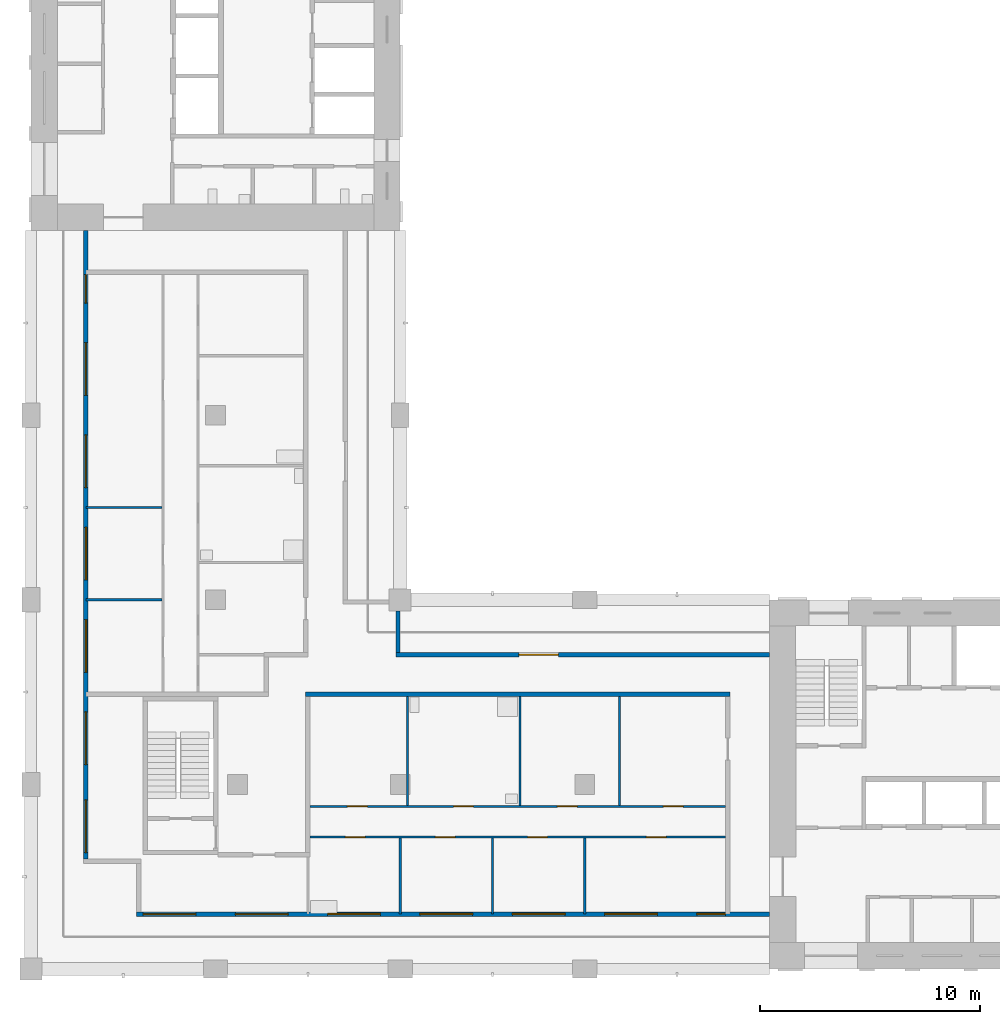
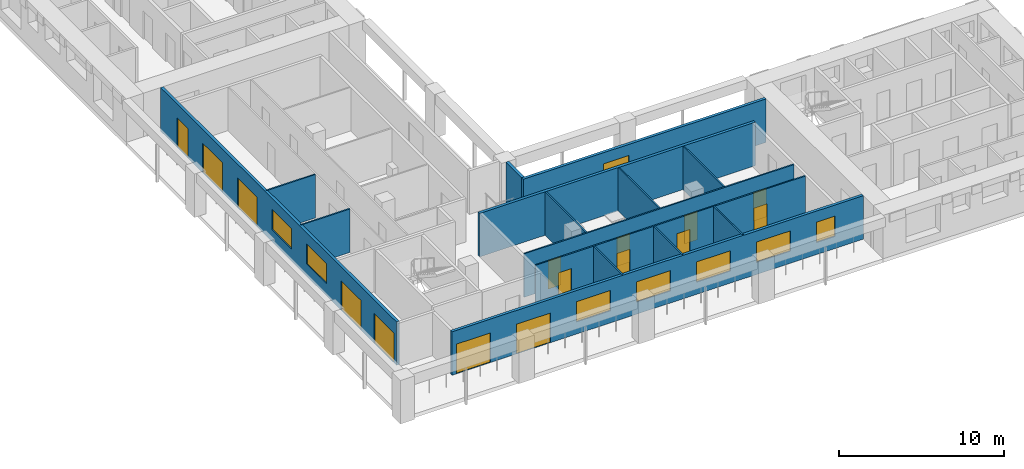
# One storey, part 2 of 9: 16 doors, 15 walls, 7 windows, 23 openings.
"""IFC4 building model written with IfcOpenShell, lengths in metres."""

from ifc_helpers import new_model, si_unit, direction, frame, frame_2d, origin, place, context, subcontext, project, spatial, rectangle, extrude, material, layer, layer_set, type_object, element, fill, save


model = new_model("IFC4")

# Units and contexts
model_context = context("Model", 3, precision=1e-05, world=origin(), true_north=direction((0.0, 1.0)))
body_context = subcontext(model_context, "Body", "Model", "MODEL_VIEW")
ifc_project = project(units=[si_unit("LENGTHUNIT", "METRE"), si_unit("AREAUNIT", "SQUARE_METRE"), si_unit("VOLUMEUNIT", "CUBIC_METRE"), si_unit("PLANEANGLEUNIT", "RADIAN"), si_unit("MASSUNIT", "GRAM", prefix="KILO")], contexts=[model_context])

# Site, building, storey
site_placement = place(None, origin())
site = spatial("IfcSite", under=ifc_project, at=site_placement, CompositionType="ELEMENT")
building_placement = place(site_placement, origin())
building = spatial("IfcBuilding", under=site, at=building_placement, Name="Vermilion Gate Residences", CompositionType="ELEMENT")
storey_placement = place(building_placement, frame((0.0, 0.0, 231.699951171875)))
storey = spatial("IfcBuildingStorey", under=building, at=storey_placement, Name="L60", CompositionType="ELEMENT", Elevation=231.699951171875)

# Wall, openings, doors, windows
ifc_material_1 = material(Name="Insulated steel stud wall with terracotta rainscreen", Category="masonry")
ifc_layer_1 = layer(ifc_material_1, 0.199951171875)
ifc_layer_set_1 = layer_set([ifc_layer_1], Name="EXTERNAL WALL 200 TERRACOTTA RAINSCREEN")
wall_type_1 = type_object("IfcWallType", Name="EXTERNAL WALL 200 TERRACOTTA RAINSCREEN", PredefinedType="SOLIDWALL", material=ifc_layer_set_1)
wall_1_placement = place(storey_placement, frame((10.89990234375, 42.0, 0.0), z_axis=(0.0, 0.0, 1.0), x_axis=(0.0, -1.0, 0.0)))
wall_1 = element("IfcWall", 1, at=wall_1_placement, inside=storey, type_object=wall_type_1, Name="External wall", PredefinedType="SOLIDWALL", context=body_context, shape_type="SweptSolid", body=[
    extrude(rectangle(XDim=28.60009765625, YDim=0.199951171875, at=frame_2d((14.300048828125, 0.0))), origin(), (0.0, 0.0, 1.0), 3.219970703125),
])
opening_1_placement = place(wall_1_placement, frame((25.89990234375, 0.0, 0.0)))
opening_1 = element("IfcOpeningElement", 2, at=opening_1_placement, cuts=wall_1, Name="Opening DE60001", PredefinedType="OPENING", context=body_context, shape_type="SweptSolid", body=[
    extrude(rectangle(XDim=2.39990234375, YDim=2.199951171875, at=frame_2d((1.199951171875, 1.10009765625))), frame((0.0, 0.10986328125, 0.0), z_axis=(0.0, -1.0, 0.0), x_axis=(1.0, 0.0, 0.0)), (0.0, 0.0, 1.0), 0.219970703125),
])
opening_2_placement = place(wall_1_placement, frame((21.89990234375, 0.0, 0.0)))
opening_2 = element("IfcOpeningElement", 3, at=opening_2_placement, cuts=wall_1, Name="Opening DE60002", PredefinedType="OPENING", context=body_context, shape_type="SweptSolid", body=[
    extrude(rectangle(XDim=2.39990234375, YDim=2.199951171875, at=frame_2d((1.199951171875, 1.10009765625))), frame((0.0, 0.10986328125, 0.0), z_axis=(0.0, -1.0, 0.0), x_axis=(1.0, 0.0, 0.0)), (0.0, 0.0, 1.0), 0.219970703125),
])
opening_3_placement = place(wall_1_placement, frame((17.699951171875, 0.0, 0.89990234375)))
opening_3 = element("IfcOpeningElement", 4, at=opening_3_placement, cuts=wall_1, Name="Opening WE60003", PredefinedType="OPENING", context=body_context, shape_type="SweptSolid", body=[
    extrude(rectangle(XDim=2.39990234375, YDim=1.5, at=frame_2d((1.199951171875, 0.75))), frame((0.0, 0.10986328125, 0.0), z_axis=(0.0, -1.0, 0.0), x_axis=(1.0, 0.0, 0.0)), (0.0, 0.0, 1.0), 0.219970703125),
])
opening_4_placement = place(wall_1_placement, frame((13.5, 0.0, 0.89990234375)))
opening_4 = element("IfcOpeningElement", 5, at=opening_4_placement, cuts=wall_1, Name="Opening WE60004", PredefinedType="OPENING", context=body_context, shape_type="SweptSolid", body=[
    extrude(rectangle(XDim=2.39990234375, YDim=1.5, at=frame_2d((1.199951171875, 0.75))), frame((0.0, 0.10986328125, 0.0), z_axis=(0.0, -1.0, 0.0), x_axis=(1.0, 0.0, 0.0)), (0.0, 0.0, 1.0), 0.219970703125),
])
opening_5_placement = place(wall_1_placement, frame((9.300048828125, 0.0, 0.0)))
opening_5 = element("IfcOpeningElement", 6, at=opening_5_placement, cuts=wall_1, Name="Opening DE60005", PredefinedType="OPENING", context=body_context, shape_type="SweptSolid", body=[
    extrude(rectangle(XDim=2.39990234375, YDim=2.199951171875, at=frame_2d((1.199951171875, 1.10009765625))), frame((0.0, 0.10986328125, 0.0), z_axis=(0.0, -1.0, 0.0), x_axis=(1.0, 0.0, 0.0)), (0.0, 0.0, 1.0), 0.219970703125),
])
opening_6_placement = place(wall_1_placement, frame((5.10009765625, 0.0, 0.0)))
opening_6 = element("IfcOpeningElement", 7, at=opening_6_placement, cuts=wall_1, Name="Opening DE60006", PredefinedType="OPENING", context=body_context, shape_type="SweptSolid", body=[
    extrude(rectangle(XDim=2.39990234375, YDim=2.199951171875, at=frame_2d((1.199951171875, 1.10009765625))), frame((0.0, 0.10986328125, 0.0), z_axis=(0.0, -1.0, 0.0), x_axis=(1.0, 0.0, 0.0)), (0.0, 0.0, 1.0), 0.219970703125),
])
opening_7_placement = place(wall_1_placement, frame((2.0, 0.0, 0.0)))
opening_7 = element("IfcOpeningElement", 8, at=opening_7_placement, cuts=wall_1, Name="Opening DE60007", PredefinedType="OPENING", context=body_context, shape_type="SweptSolid", body=[
    extrude(rectangle(XDim=1.300048828125, YDim=2.199951171875, at=frame_2d((0.64990234375, 1.10009765625))), frame((0.0, 0.10986328125, 0.0), z_axis=(0.0, -1.0, 0.0), x_axis=(1.0, 0.0, 0.0)), (0.0, 0.0, 1.0), 0.219970703125),
])
ifc_material_2 = material(Name="Aluminium and clear glass", Category="aluminium")
door_type_1 = type_object("IfcDoorType", Name="SLIDING GLAZED DOOR 1300 X 2200", OperationType="DOUBLE_DOOR_SLIDING", PredefinedType="DOOR", material=ifc_material_2)
door_1_placement = place(opening_7_placement, origin())
door_1 = element("IfcDoor", 9, at=door_1_placement, inside=storey, type_object=door_type_1, Name="Loggia sliding door", OperationType="DOUBLE_DOOR_SLIDING", OverallHeight=2.199951171875, OverallWidth=1.300048828125, PredefinedType="DOOR", context=body_context, shape_type="SweptSolid", body=[
    extrude(rectangle(XDim=1.300048828125, YDim=2.199951171875, at=frame_2d((0.64990234375, 1.10009765625))), frame((0.0, 0.02490234375, 0.0), z_axis=(0.0, -1.0, 0.0), x_axis=(1.0, 0.0, 0.0)), (0.0, 0.0, 1.0), 0.050048828125),
])
fill(opening_7, door_1)
ifc_material_3 = material(Name="Aluminium and clear glass", Category="aluminium")
door_type_2 = type_object("IfcDoorType", Name="SLIDING GLAZED DOOR 2400 X 2200", OperationType="DOUBLE_DOOR_SLIDING", PredefinedType="DOOR", material=ifc_material_3)
door_2_placement = place(opening_1_placement, origin())
door_2 = element("IfcDoor", 10, at=door_2_placement, inside=storey, type_object=door_type_2, Name="Loggia sliding door", OperationType="DOUBLE_DOOR_SLIDING", OverallHeight=2.199951171875, OverallWidth=2.39990234375, PredefinedType="DOOR", context=body_context, shape_type="SweptSolid", body=[
    extrude(rectangle(XDim=2.39990234375, YDim=2.199951171875, at=frame_2d((1.199951171875, 1.10009765625))), frame((0.0, 0.02490234375, 0.0), z_axis=(0.0, -1.0, 0.0), x_axis=(1.0, 0.0, 0.0)), (0.0, 0.0, 1.0), 0.050048828125),
])
fill(opening_1, door_2)
door_3_placement = place(opening_2_placement, origin())
door_3 = element("IfcDoor", 11, at=door_3_placement, inside=storey, type_object=door_type_2, Name="Loggia sliding door", OperationType="DOUBLE_DOOR_SLIDING", OverallHeight=2.199951171875, OverallWidth=2.39990234375, PredefinedType="DOOR", context=body_context, shape_type="SweptSolid", body=[
    extrude(rectangle(XDim=2.39990234375, YDim=2.199951171875, at=frame_2d((1.199951171875, 1.10009765625))), frame((0.0, 0.02490234375, 0.0), z_axis=(0.0, -1.0, 0.0), x_axis=(1.0, 0.0, 0.0)), (0.0, 0.0, 1.0), 0.050048828125),
])
fill(opening_2, door_3)
door_4_placement = place(opening_5_placement, origin())
door_4 = element("IfcDoor", 12, at=door_4_placement, inside=storey, type_object=door_type_2, Name="Loggia sliding door", OperationType="DOUBLE_DOOR_SLIDING", OverallHeight=2.199951171875, OverallWidth=2.39990234375, PredefinedType="DOOR", context=body_context, shape_type="SweptSolid", body=[
    extrude(rectangle(XDim=2.39990234375, YDim=2.199951171875, at=frame_2d((1.199951171875, 1.10009765625))), frame((0.0, 0.02490234375, 0.0), z_axis=(0.0, -1.0, 0.0), x_axis=(1.0, 0.0, 0.0)), (0.0, 0.0, 1.0), 0.050048828125),
])
fill(opening_5, door_4)
door_5_placement = place(opening_6_placement, origin())
door_5 = element("IfcDoor", 13, at=door_5_placement, inside=storey, type_object=door_type_2, Name="Loggia sliding door", OperationType="DOUBLE_DOOR_SLIDING", OverallHeight=2.199951171875, OverallWidth=2.39990234375, PredefinedType="DOOR", context=body_context, shape_type="SweptSolid", body=[
    extrude(rectangle(XDim=2.39990234375, YDim=2.199951171875, at=frame_2d((1.199951171875, 1.10009765625))), frame((0.0, 0.02490234375, 0.0), z_axis=(0.0, -1.0, 0.0), x_axis=(1.0, 0.0, 0.0)), (0.0, 0.0, 1.0), 0.050048828125),
])
fill(opening_6, door_5)
ifc_material_4 = material(Name="Aluminium and clear glass", Category="aluminium")
window_type_1 = type_object("IfcWindowType", Name="WINDOW 2400 X 1500", PartitioningType="SINGLE_PANEL", PredefinedType="WINDOW", material=ifc_material_4)
window_1_placement = place(opening_3_placement, origin())
window_1 = element("IfcWindow", 14, at=window_1_placement, inside=storey, type_object=window_type_1, Name="Window", OverallHeight=1.5, OverallWidth=2.39990234375, PartitioningType="SINGLE_PANEL", PredefinedType="WINDOW", context=body_context, shape_type="SweptSolid", body=[
    extrude(rectangle(XDim=2.39990234375, YDim=1.5, at=frame_2d((1.199951171875, 0.75))), frame((0.0, 0.030029296875, 0.0), z_axis=(0.0, -1.0, 0.0), x_axis=(1.0, 0.0, 0.0)), (0.0, 0.0, 1.0), 0.06005859375),
])
fill(opening_3, window_1)
window_2_placement = place(opening_4_placement, origin())
window_2 = element("IfcWindow", 15, at=window_2_placement, inside=storey, type_object=window_type_1, Name="Window", OverallHeight=1.5, OverallWidth=2.39990234375, PartitioningType="SINGLE_PANEL", PredefinedType="WINDOW", context=body_context, shape_type="SweptSolid", body=[
    extrude(rectangle(XDim=2.39990234375, YDim=1.5, at=frame_2d((1.199951171875, 0.75))), frame((0.0, 0.030029296875, 0.0), z_axis=(0.0, -1.0, 0.0), x_axis=(1.0, 0.0, 0.0)), (0.0, 0.0, 1.0), 0.06005859375),
])
fill(opening_4, window_2)

wall_2_placement = place(storey_placement, frame((13.199951171875, 10.89990234375, 0.0), z_axis=(0.0, 0.0, 1.0), x_axis=(1.0, 0.0, 0.0)))
wall_2 = element("IfcWall", 16, at=wall_2_placement, inside=storey, type_object=wall_type_1, Name="External wall", PredefinedType="SOLIDWALL", context=body_context, shape_type="SweptSolid", body=[
    extrude(rectangle(XDim=28.800048828125, YDim=0.199951171875, at=frame_2d((14.39990234375, 0.0))), origin(), (0.0, 0.0, 1.0), 3.219970703125),
])
opening_8_placement = place(wall_2_placement, frame((0.300048828125, 0.0, 0.0)))
opening_8 = element("IfcOpeningElement", 17, at=opening_8_placement, cuts=wall_2, Name="Opening DE60008", PredefinedType="OPENING", context=body_context, shape_type="SweptSolid", body=[
    extrude(rectangle(XDim=2.39990234375, YDim=2.199951171875, at=frame_2d((1.199951171875, 1.10009765625))), frame((0.0, 0.10986328125, 0.0), z_axis=(0.0, -1.0, 0.0), x_axis=(1.0, 0.0, 0.0)), (0.0, 0.0, 1.0), 0.219970703125),
])
opening_9_placement = place(wall_2_placement, frame((4.5, 0.0, 0.0)))
opening_9 = element("IfcOpeningElement", 18, at=opening_9_placement, cuts=wall_2, Name="Opening DE60009", PredefinedType="OPENING", context=body_context, shape_type="SweptSolid", body=[
    extrude(rectangle(XDim=2.39990234375, YDim=2.199951171875, at=frame_2d((1.199951171875, 1.10009765625))), frame((0.0, 0.10986328125, 0.0), z_axis=(0.0, -1.0, 0.0), x_axis=(1.0, 0.0, 0.0)), (0.0, 0.0, 1.0), 0.219970703125),
])
opening_10_placement = place(wall_2_placement, frame((8.699951171875, 0.0, 0.89990234375)))
opening_10 = element("IfcOpeningElement", 19, at=opening_10_placement, cuts=wall_2, Name="Opening WE60010", PredefinedType="OPENING", context=body_context, shape_type="SweptSolid", body=[
    extrude(rectangle(XDim=2.39990234375, YDim=1.5, at=frame_2d((1.199951171875, 0.75))), frame((0.0, 0.10986328125, 0.0), z_axis=(0.0, -1.0, 0.0), x_axis=(1.0, 0.0, 0.0)), (0.0, 0.0, 1.0), 0.219970703125),
])
opening_11_placement = place(wall_2_placement, frame((12.89990234375, 0.0, 0.89990234375)))
opening_11 = element("IfcOpeningElement", 20, at=opening_11_placement, cuts=wall_2, Name="Opening WE60011", PredefinedType="OPENING", context=body_context, shape_type="SweptSolid", body=[
    extrude(rectangle(XDim=2.39990234375, YDim=1.5, at=frame_2d((1.199951171875, 0.75))), frame((0.0, 0.10986328125, 0.0), z_axis=(0.0, -1.0, 0.0), x_axis=(1.0, 0.0, 0.0)), (0.0, 0.0, 1.0), 0.219970703125),
])
opening_12_placement = place(wall_2_placement, frame((17.10009765625, 0.0, 0.89990234375)))
opening_12 = element("IfcOpeningElement", 21, at=opening_12_placement, cuts=wall_2, Name="Opening WE60012", PredefinedType="OPENING", context=body_context, shape_type="SweptSolid", body=[
    extrude(rectangle(XDim=2.39990234375, YDim=1.5, at=frame_2d((1.199951171875, 0.75))), frame((0.0, 0.10986328125, 0.0), z_axis=(0.0, -1.0, 0.0), x_axis=(1.0, 0.0, 0.0)), (0.0, 0.0, 1.0), 0.219970703125),
])
opening_13_placement = place(wall_2_placement, frame((21.300048828125, 0.0, 0.89990234375)))
opening_13 = element("IfcOpeningElement", 22, at=opening_13_placement, cuts=wall_2, Name="Opening WE60013", PredefinedType="OPENING", context=body_context, shape_type="SweptSolid", body=[
    extrude(rectangle(XDim=2.39990234375, YDim=1.5, at=frame_2d((1.199951171875, 0.75))), frame((0.0, 0.10986328125, 0.0), z_axis=(0.0, -1.0, 0.0), x_axis=(1.0, 0.0, 0.0)), (0.0, 0.0, 1.0), 0.219970703125),
])
opening_14_placement = place(wall_2_placement, frame((25.5, 0.0, 0.89990234375)))
opening_14 = element("IfcOpeningElement", 23, at=opening_14_placement, cuts=wall_2, Name="Opening WE60014", PredefinedType="OPENING", context=body_context, shape_type="SweptSolid", body=[
    extrude(rectangle(XDim=1.300048828125, YDim=1.5, at=frame_2d((0.64990234375, 0.75))), frame((0.0, 0.10986328125, 0.0), z_axis=(0.0, -1.0, 0.0), x_axis=(1.0, 0.0, 0.0)), (0.0, 0.0, 1.0), 0.219970703125),
])
door_6_placement = place(opening_8_placement, origin())
door_6 = element("IfcDoor", 24, at=door_6_placement, inside=storey, type_object=door_type_2, Name="Loggia sliding door", OperationType="DOUBLE_DOOR_SLIDING", OverallHeight=2.199951171875, OverallWidth=2.39990234375, PredefinedType="DOOR", context=body_context, shape_type="SweptSolid", body=[
    extrude(rectangle(XDim=2.39990234375, YDim=2.199951171875, at=frame_2d((1.199951171875, 1.10009765625))), frame((0.0, 0.02490234375, 0.0), z_axis=(0.0, -1.0, 0.0), x_axis=(1.0, 0.0, 0.0)), (0.0, 0.0, 1.0), 0.050048828125),
])
fill(opening_8, door_6)
door_7_placement = place(opening_9_placement, origin())
door_7 = element("IfcDoor", 25, at=door_7_placement, inside=storey, type_object=door_type_2, Name="Loggia sliding door", OperationType="DOUBLE_DOOR_SLIDING", OverallHeight=2.199951171875, OverallWidth=2.39990234375, PredefinedType="DOOR", context=body_context, shape_type="SweptSolid", body=[
    extrude(rectangle(XDim=2.39990234375, YDim=2.199951171875, at=frame_2d((1.199951171875, 1.10009765625))), frame((0.0, 0.02490234375, 0.0), z_axis=(0.0, -1.0, 0.0), x_axis=(1.0, 0.0, 0.0)), (0.0, 0.0, 1.0), 0.050048828125),
])
fill(opening_9, door_7)
ifc_material_5 = material(Name="Aluminium and clear glass", Category="aluminium")
window_type_2 = type_object("IfcWindowType", Name="WINDOW 1300 X 1500", PartitioningType="SINGLE_PANEL", PredefinedType="WINDOW", material=ifc_material_5)
window_3_placement = place(opening_14_placement, origin())
window_3 = element("IfcWindow", 26, at=window_3_placement, inside=storey, type_object=window_type_2, Name="Window", OverallHeight=1.5, OverallWidth=1.300048828125, PartitioningType="SINGLE_PANEL", PredefinedType="WINDOW", context=body_context, shape_type="SweptSolid", body=[
    extrude(rectangle(XDim=1.300048828125, YDim=1.5, at=frame_2d((0.64990234375, 0.75))), frame((0.0, 0.030029296875, 0.0), z_axis=(0.0, -1.0, 0.0), x_axis=(1.0, 0.0, 0.0)), (0.0, 0.0, 1.0), 0.06005859375),
])
fill(opening_14, window_3)
window_4_placement = place(opening_10_placement, origin())
window_4 = element("IfcWindow", 27, at=window_4_placement, inside=storey, type_object=window_type_1, Name="Window", OverallHeight=1.5, OverallWidth=2.39990234375, PartitioningType="SINGLE_PANEL", PredefinedType="WINDOW", context=body_context, shape_type="SweptSolid", body=[
    extrude(rectangle(XDim=2.39990234375, YDim=1.5, at=frame_2d((1.199951171875, 0.75))), frame((0.0, 0.030029296875, 0.0), z_axis=(0.0, -1.0, 0.0), x_axis=(1.0, 0.0, 0.0)), (0.0, 0.0, 1.0), 0.06005859375),
])
fill(opening_10, window_4)
window_5_placement = place(opening_11_placement, origin())
window_5 = element("IfcWindow", 28, at=window_5_placement, inside=storey, type_object=window_type_1, Name="Window", OverallHeight=1.5, OverallWidth=2.39990234375, PartitioningType="SINGLE_PANEL", PredefinedType="WINDOW", context=body_context, shape_type="SweptSolid", body=[
    extrude(rectangle(XDim=2.39990234375, YDim=1.5, at=frame_2d((1.199951171875, 0.75))), frame((0.0, 0.030029296875, 0.0), z_axis=(0.0, -1.0, 0.0), x_axis=(1.0, 0.0, 0.0)), (0.0, 0.0, 1.0), 0.06005859375),
])
fill(opening_11, window_5)
window_6_placement = place(opening_12_placement, origin())
window_6 = element("IfcWindow", 29, at=window_6_placement, inside=storey, type_object=window_type_1, Name="Window", OverallHeight=1.5, OverallWidth=2.39990234375, PartitioningType="SINGLE_PANEL", PredefinedType="WINDOW", context=body_context, shape_type="SweptSolid", body=[
    extrude(rectangle(XDim=2.39990234375, YDim=1.5, at=frame_2d((1.199951171875, 0.75))), frame((0.0, 0.030029296875, 0.0), z_axis=(0.0, -1.0, 0.0), x_axis=(1.0, 0.0, 0.0)), (0.0, 0.0, 1.0), 0.06005859375),
])
fill(opening_12, window_6)
window_7_placement = place(opening_13_placement, origin())
window_7 = element("IfcWindow", 30, at=window_7_placement, inside=storey, type_object=window_type_1, Name="Window", OverallHeight=1.5, OverallWidth=2.39990234375, PartitioningType="SINGLE_PANEL", PredefinedType="WINDOW", context=body_context, shape_type="SweptSolid", body=[
    extrude(rectangle(XDim=2.39990234375, YDim=1.5, at=frame_2d((1.199951171875, 0.75))), frame((0.0, 0.030029296875, 0.0), z_axis=(0.0, -1.0, 0.0), x_axis=(1.0, 0.0, 0.0)), (0.0, 0.0, 1.0), 0.06005859375),
])
fill(opening_13, window_7)

# Wall, opening, door
wall_3_placement = place(storey_placement, frame((42.0, 22.699951171875, 0.0), z_axis=(0.0, 0.0, 1.0), x_axis=(-1.0, 0.0, 0.0)))
wall_3 = element("IfcWall", 31, at=wall_3_placement, inside=storey, type_object=wall_type_1, Name="External wall", PredefinedType="SOLIDWALL", context=body_context, shape_type="SweptSolid", body=[
    extrude(rectangle(XDim=17.0, YDim=0.199951171875, at=frame_2d((8.5, 0.0))), origin(), (0.0, 0.0, 1.0), 3.219970703125),
])
opening_15_placement = place(wall_3_placement, frame((9.60009765625, 0.0, 0.0)))
opening_15 = element("IfcOpeningElement", 32, at=opening_15_placement, cuts=wall_3, Name="Opening DE60015", PredefinedType="OPENING", context=body_context, shape_type="SweptSolid", body=[
    extrude(rectangle(XDim=1.800048828125, YDim=2.39990234375, at=frame_2d((0.89990234375, 1.199951171875))), frame((0.0, 0.10986328125, 0.0), z_axis=(0.0, -1.0, 0.0), x_axis=(1.0, 0.0, 0.0)), (0.0, 0.0, 1.0), 0.219970703125),
])
ifc_material_6 = material(Name="Aluminium and clear glass", Category="aluminium")
door_type_3 = type_object("IfcDoorType", Name="GLAZED EXTERNAL DOOR 1800 X 2400", OperationType="DOUBLE_DOOR_SINGLE_SWING", PredefinedType="DOOR", material=ifc_material_6)
door_8_placement = place(opening_15_placement, frame((1.800048828125, 0.0, 0.0), z_axis=(0.0, 0.0, 1.0), x_axis=(-1.0, 0.0, 0.0)))
door_8 = element("IfcDoor", 33, at=door_8_placement, inside=storey, type_object=door_type_3, Name="Gallery door", OperationType="DOUBLE_DOOR_SINGLE_SWING", OverallHeight=2.39990234375, OverallWidth=1.800048828125, PredefinedType="DOOR", context=body_context, shape_type="SweptSolid", body=[
    extrude(rectangle(XDim=1.800048828125, YDim=2.39990234375, at=frame_2d((0.89990234375, 1.199951171875))), frame((0.0, 0.02490234375, 0.0), z_axis=(0.0, -1.0, 0.0), x_axis=(1.0, 0.0, 0.0)), (0.0, 0.0, 1.0), 0.050048828125),
])
fill(opening_15, door_8)

# Wall
wall_4_placement = place(storey_placement, frame((25.10009765625, 22.800048828125, 0.0), z_axis=(0.0, 0.0, 1.0), x_axis=(0.0, 1.0, 0.0)))
element("IfcWall", 34, at=wall_4_placement, inside=storey, type_object=wall_type_1, Name="External wall", PredefinedType="SOLIDWALL", context=body_context, shape_type="SweptSolid", body=[
    extrude(rectangle(XDim=1.89990234375, YDim=0.199951171875, at=frame_2d((0.949951171875, 0.0))), origin(), (0.0, 0.0, 1.0), 3.219970703125),
])

# Wall, openings, doors
ifc_material_7 = material(Name="Plasterboard on steel studs", Category="steel")
ifc_layer_2 = layer(ifc_material_7, 0.10009765625)
ifc_layer_set_2 = layer_set([ifc_layer_2], Name="PARTITION 100")
wall_type_2 = type_object("IfcWallType", Name="PARTITION 100", PredefinedType="PARTITIONING", material=ifc_layer_set_2)
wall_5_placement = place(storey_placement, frame((21.10009765625, 14.39990234375, 0.0), z_axis=(0.0, 0.0, 1.0), x_axis=(1.0, 0.0, 0.0)))
wall_5 = element("IfcWall", 35, at=wall_5_placement, inside=storey, type_object=wall_type_2, Name="Partition", PredefinedType="PARTITIONING", context=body_context, shape_type="SweptSolid", body=[
    extrude(rectangle(XDim=18.89990234375, YDim=0.10009765625, at=frame_2d((9.449951171875, 0.0))), origin(), (0.0, 0.0, 1.0), 3.219970703125),
])
opening_16_placement = place(wall_5_placement, frame((1.60009765625, 0.0, 0.0)))
opening_16 = element("IfcOpeningElement", 36, at=opening_16_placement, cuts=wall_5, Name="Opening DA58002", PredefinedType="OPENING", context=body_context, shape_type="SweptSolid", body=[
    extrude(rectangle(XDim=0.89990234375, YDim=2.10009765625, at=frame_2d((0.449951171875, 1.050048828125))), frame((0.0, 0.06005859375, 0.0), z_axis=(0.0, -1.0, 0.0), x_axis=(1.0, 0.0, 0.0)), (0.0, 0.0, 1.0), 0.1201171875),
])
opening_17_placement = place(wall_5_placement, frame((5.699951171875, 0.0, 0.0)))
opening_17 = element("IfcOpeningElement", 37, at=opening_17_placement, cuts=wall_5, Name="Opening DA58003", PredefinedType="OPENING", context=body_context, shape_type="SweptSolid", body=[
    extrude(rectangle(XDim=0.89990234375, YDim=2.10009765625, at=frame_2d((0.449951171875, 1.050048828125))), frame((0.0, 0.06005859375, 0.0), z_axis=(0.0, -1.0, 0.0), x_axis=(1.0, 0.0, 0.0)), (0.0, 0.0, 1.0), 0.1201171875),
])
opening_18_placement = place(wall_5_placement, frame((9.89990234375, 0.0, 0.0)))
opening_18 = element("IfcOpeningElement", 38, at=opening_18_placement, cuts=wall_5, Name="Opening DA58004", PredefinedType="OPENING", context=body_context, shape_type="SweptSolid", body=[
    extrude(rectangle(XDim=0.89990234375, YDim=2.10009765625, at=frame_2d((0.449951171875, 1.050048828125))), frame((0.0, 0.06005859375, 0.0), z_axis=(0.0, -1.0, 0.0), x_axis=(1.0, 0.0, 0.0)), (0.0, 0.0, 1.0), 0.1201171875),
])
opening_19_placement = place(wall_5_placement, frame((15.300048828125, 0.0, 0.0)))
opening_19 = element("IfcOpeningElement", 39, at=opening_19_placement, cuts=wall_5, Name="Opening DA58005", PredefinedType="OPENING", context=body_context, shape_type="SweptSolid", body=[
    extrude(rectangle(XDim=0.89990234375, YDim=2.10009765625, at=frame_2d((0.449951171875, 1.050048828125))), frame((0.0, 0.06005859375, 0.0), z_axis=(0.0, -1.0, 0.0), x_axis=(1.0, 0.0, 0.0)), (0.0, 0.0, 1.0), 0.1201171875),
])
ifc_material_8 = material(Name="Timber", Category="wood")
door_type_4 = type_object("IfcDoorType", Name="INTERIOR DOOR 900 X 2100", OperationType="SINGLE_SWING_LEFT", PredefinedType="DOOR", material=ifc_material_8)
door_9_placement = place(opening_16_placement, frame((0.89990234375, 0.0, 0.0), z_axis=(0.0, 0.0, 1.0), x_axis=(-1.0, 0.0, 0.0)))
door_9 = element("IfcDoor", 40, at=door_9_placement, inside=storey, type_object=door_type_4, Name="Interior door", OperationType="SINGLE_SWING_LEFT", OverallHeight=2.10009765625, OverallWidth=0.89990234375, PredefinedType="DOOR", context=body_context, shape_type="SweptSolid", body=[
    extrude(rectangle(XDim=0.89990234375, YDim=2.10009765625, at=frame_2d((0.449951171875, 1.050048828125))), frame((0.0, 0.02490234375, 0.0), z_axis=(0.0, -1.0, 0.0), x_axis=(1.0, 0.0, 0.0)), (0.0, 0.0, 1.0), 0.050048828125),
])
fill(opening_16, door_9)
door_10_placement = place(opening_17_placement, frame((0.89990234375, 0.0, 0.0), z_axis=(0.0, 0.0, 1.0), x_axis=(-1.0, 0.0, 0.0)))
door_10 = element("IfcDoor", 41, at=door_10_placement, inside=storey, type_object=door_type_4, Name="Interior door", OperationType="SINGLE_SWING_RIGHT", OverallHeight=2.10009765625, OverallWidth=0.89990234375, PredefinedType="DOOR", context=body_context, shape_type="SweptSolid", body=[
    extrude(rectangle(XDim=0.89990234375, YDim=2.10009765625, at=frame_2d((0.449951171875, 1.050048828125))), frame((0.0, 0.02490234375, 0.0), z_axis=(0.0, -1.0, 0.0), x_axis=(1.0, 0.0, 0.0)), (0.0, 0.0, 1.0), 0.050048828125),
])
fill(opening_17, door_10)
door_11_placement = place(opening_18_placement, frame((0.89990234375, 0.0, 0.0), z_axis=(0.0, 0.0, 1.0), x_axis=(-1.0, 0.0, 0.0)))
door_11 = element("IfcDoor", 42, at=door_11_placement, inside=storey, type_object=door_type_4, Name="Interior door", OperationType="SINGLE_SWING_RIGHT", OverallHeight=2.10009765625, OverallWidth=0.89990234375, PredefinedType="DOOR", context=body_context, shape_type="SweptSolid", body=[
    extrude(rectangle(XDim=0.89990234375, YDim=2.10009765625, at=frame_2d((0.449951171875, 1.050048828125))), frame((0.0, 0.02490234375, 0.0), z_axis=(0.0, -1.0, 0.0), x_axis=(1.0, 0.0, 0.0)), (0.0, 0.0, 1.0), 0.050048828125),
])
fill(opening_18, door_11)
door_12_placement = place(opening_19_placement, frame((0.89990234375, 0.0, 0.0), z_axis=(0.0, 0.0, 1.0), x_axis=(-1.0, 0.0, 0.0)))
door_12 = element("IfcDoor", 43, at=door_12_placement, inside=storey, type_object=door_type_4, Name="Interior door", OperationType="SINGLE_SWING_LEFT", OverallHeight=2.10009765625, OverallWidth=0.89990234375, PredefinedType="DOOR", context=body_context, shape_type="SweptSolid", body=[
    extrude(rectangle(XDim=0.89990234375, YDim=2.10009765625, at=frame_2d((0.449951171875, 1.050048828125))), frame((0.0, 0.02490234375, 0.0), z_axis=(0.0, -1.0, 0.0), x_axis=(1.0, 0.0, 0.0)), (0.0, 0.0, 1.0), 0.050048828125),
])
fill(opening_19, door_12)

wall_6_placement = place(storey_placement, frame((21.10009765625, 15.800048828125, 0.0), z_axis=(0.0, 0.0, 1.0), x_axis=(1.0, 0.0, 0.0)))
wall_6 = element("IfcWall", 44, at=wall_6_placement, inside=storey, type_object=wall_type_2, Name="Partition", PredefinedType="PARTITIONING", context=body_context, shape_type="SweptSolid", body=[
    extrude(rectangle(XDim=18.89990234375, YDim=0.10009765625, at=frame_2d((9.449951171875, 0.0))), origin(), (0.0, 0.0, 1.0), 3.219970703125),
])
opening_20_placement = place(wall_6_placement, frame((16.074951171875, 0.0, 0.0)))
opening_20 = element("IfcOpeningElement", 45, at=opening_20_placement, cuts=wall_6, Name="Opening DA58006", PredefinedType="OPENING", context=body_context, shape_type="SweptSolid", body=[
    extrude(rectangle(XDim=0.89990234375, YDim=2.10009765625, at=frame_2d((0.449951171875, 1.050048828125))), frame((0.0, 0.06005859375, 0.0), z_axis=(0.0, -1.0, 0.0), x_axis=(1.0, 0.0, 0.0)), (0.0, 0.0, 1.0), 0.1201171875),
])
opening_21_placement = place(wall_6_placement, frame((1.699951171875, 0.0, 0.0)))
opening_21 = element("IfcOpeningElement", 46, at=opening_21_placement, cuts=wall_6, Name="Opening DA58007", PredefinedType="OPENING", context=body_context, shape_type="SweptSolid", body=[
    extrude(rectangle(XDim=0.89990234375, YDim=2.10009765625, at=frame_2d((0.449951171875, 1.050048828125))), frame((0.0, 0.06005859375, 0.0), z_axis=(0.0, -1.0, 0.0), x_axis=(1.0, 0.0, 0.0)), (0.0, 0.0, 1.0), 0.1201171875),
])
opening_22_placement = place(wall_6_placement, frame((6.52490234375, 0.0, 0.0)))
opening_22 = element("IfcOpeningElement", 47, at=opening_22_placement, cuts=wall_6, Name="Opening DA58008", PredefinedType="OPENING", context=body_context, shape_type="SweptSolid", body=[
    extrude(rectangle(XDim=0.89990234375, YDim=2.10009765625, at=frame_2d((0.449951171875, 1.050048828125))), frame((0.0, 0.06005859375, 0.0), z_axis=(0.0, -1.0, 0.0), x_axis=(1.0, 0.0, 0.0)), (0.0, 0.0, 1.0), 0.1201171875),
])
opening_23_placement = place(wall_6_placement, frame((11.25, 0.0, 0.0)))
opening_23 = element("IfcOpeningElement", 48, at=opening_23_placement, cuts=wall_6, Name="Opening DA58009", PredefinedType="OPENING", context=body_context, shape_type="SweptSolid", body=[
    extrude(rectangle(XDim=0.89990234375, YDim=2.10009765625, at=frame_2d((0.449951171875, 1.050048828125))), frame((0.0, 0.06005859375, 0.0), z_axis=(0.0, -1.0, 0.0), x_axis=(1.0, 0.0, 0.0)), (0.0, 0.0, 1.0), 0.1201171875),
])
door_13_placement = place(opening_20_placement, frame((0.89990234375, 0.0, 0.0), z_axis=(0.0, 0.0, 1.0), x_axis=(-1.0, 0.0, 0.0)))
door_13 = element("IfcDoor", 49, at=door_13_placement, inside=storey, type_object=door_type_4, Name="Interior door", OperationType="SINGLE_SWING_LEFT", OverallHeight=2.10009765625, OverallWidth=0.89990234375, PredefinedType="DOOR", context=body_context, shape_type="SweptSolid", body=[
    extrude(rectangle(XDim=0.89990234375, YDim=2.10009765625, at=frame_2d((0.449951171875, 1.050048828125))), frame((0.0, 0.02490234375, 0.0), z_axis=(0.0, -1.0, 0.0), x_axis=(1.0, 0.0, 0.0)), (0.0, 0.0, 1.0), 0.050048828125),
])
fill(opening_20, door_13)
door_14_placement = place(opening_21_placement, origin())
door_14 = element("IfcDoor", 50, at=door_14_placement, inside=storey, type_object=door_type_4, Name="Interior door", OperationType="SINGLE_SWING_LEFT", OverallHeight=2.10009765625, OverallWidth=0.89990234375, PredefinedType="DOOR", context=body_context, shape_type="SweptSolid", body=[
    extrude(rectangle(XDim=0.89990234375, YDim=2.10009765625, at=frame_2d((0.449951171875, 1.050048828125))), frame((0.0, 0.02490234375, 0.0), z_axis=(0.0, -1.0, 0.0), x_axis=(1.0, 0.0, 0.0)), (0.0, 0.0, 1.0), 0.050048828125),
])
fill(opening_21, door_14)
door_15_placement = place(opening_22_placement, origin())
door_15 = element("IfcDoor", 51, at=door_15_placement, inside=storey, type_object=door_type_4, Name="Interior door", OperationType="SINGLE_SWING_RIGHT", OverallHeight=2.10009765625, OverallWidth=0.89990234375, PredefinedType="DOOR", context=body_context, shape_type="SweptSolid", body=[
    extrude(rectangle(XDim=0.89990234375, YDim=2.10009765625, at=frame_2d((0.449951171875, 1.050048828125))), frame((0.0, 0.02490234375, 0.0), z_axis=(0.0, -1.0, 0.0), x_axis=(1.0, 0.0, 0.0)), (0.0, 0.0, 1.0), 0.050048828125),
])
fill(opening_22, door_15)
door_16_placement = place(opening_23_placement, origin())
door_16 = element("IfcDoor", 52, at=door_16_placement, inside=storey, type_object=door_type_4, Name="Interior door", OperationType="SINGLE_SWING_LEFT", OverallHeight=2.10009765625, OverallWidth=0.89990234375, PredefinedType="DOOR", context=body_context, shape_type="SweptSolid", body=[
    extrude(rectangle(XDim=0.89990234375, YDim=2.10009765625, at=frame_2d((0.449951171875, 1.050048828125))), frame((0.0, 0.02490234375, 0.0), z_axis=(0.0, -1.0, 0.0), x_axis=(1.0, 0.0, 0.0)), (0.0, 0.0, 1.0), 0.050048828125),
])
fill(opening_23, door_16)

# Walls
for number, where, z_axis, x_axis, name in (
    (53, (10.89990234375, 25.199951171875, 0.0), (0.0, 0.0, 1.0), (1.0, 0.0, 0.0), "Partition"),
    (54, (10.89990234375, 29.39990234375, 0.0), (0.0, 0.0, 1.0), (1.0, 0.0, 0.0), "Partition"),
    (55, (25.199951171875, 10.89990234375, 0.0), (0.0, 0.0, 1.0), (0.0, 1.0, 0.0), "Partition"),
):
    element("IfcWall", number, at=place(storey_placement, frame(where, z_axis=z_axis, x_axis=x_axis)), inside=storey, type_object=wall_type_2, Name=name, PredefinedType="PARTITIONING", context=body_context, shape_type="SweptSolid", body=[
        extrude(rectangle(XDim=3.4501953125, YDim=0.10009765625, at=frame_2d((1.72509765625, 0.0))), origin(), (0.0, 0.0, 1.0), 3.219970703125),
    ])
wall_7_placement = place(storey_placement, frame((25.52490234375, 15.85009765625, 0.0), z_axis=(0.0, 0.0, 1.0), x_axis=(0.0, 1.0, 0.0)))
element("IfcWall", 56, at=wall_7_placement, inside=storey, type_object=wall_type_2, Name="Partition", PredefinedType="PARTITIONING", context=body_context, shape_type="SweptSolid", body=[
    extrude(rectangle(XDim=4.949951171875, YDim=0.10009765625, at=frame_2d((2.47509765625, 0.0))), origin(), (0.0, 0.0, 1.0), 3.219970703125),
])
wall_8_placement = place(storey_placement, frame((29.39990234375, 10.89990234375, 0.0), z_axis=(0.0, 0.0, 1.0), x_axis=(0.0, 1.0, 0.0)))
element("IfcWall", 57, at=wall_8_placement, inside=storey, type_object=wall_type_2, Name="Partition", PredefinedType="PARTITIONING", context=body_context, shape_type="SweptSolid", body=[
    extrude(rectangle(XDim=3.4501953125, YDim=0.10009765625, at=frame_2d((1.72509765625, 0.0))), origin(), (0.0, 0.0, 1.0), 3.219970703125),
])
wall_9_placement = place(storey_placement, frame((30.64990234375, 15.85009765625, 0.0), z_axis=(0.0, 0.0, 1.0), x_axis=(0.0, 1.0, 0.0)))
element("IfcWall", 58, at=wall_9_placement, inside=storey, type_object=wall_type_2, Name="Partition", PredefinedType="PARTITIONING", context=body_context, shape_type="SweptSolid", body=[
    extrude(rectangle(XDim=4.949951171875, YDim=0.10009765625, at=frame_2d((2.47509765625, 0.0))), origin(), (0.0, 0.0, 1.0), 3.219970703125),
])
wall_10_placement = place(storey_placement, frame((33.60009765625, 10.89990234375, 0.0), z_axis=(0.0, 0.0, 1.0), x_axis=(0.0, 1.0, 0.0)))
element("IfcWall", 59, at=wall_10_placement, inside=storey, type_object=wall_type_2, Name="Partition", PredefinedType="PARTITIONING", context=body_context, shape_type="SweptSolid", body=[
    extrude(rectangle(XDim=3.4501953125, YDim=0.10009765625, at=frame_2d((1.72509765625, 0.0))), origin(), (0.0, 0.0, 1.0), 3.219970703125),
])
wall_11_placement = place(storey_placement, frame((35.175048828125, 15.85009765625, 0.0), z_axis=(0.0, 0.0, 1.0), x_axis=(0.0, 1.0, 0.0)))
element("IfcWall", 60, at=wall_11_placement, inside=storey, type_object=wall_type_2, Name="Partition", PredefinedType="PARTITIONING", context=body_context, shape_type="SweptSolid", body=[
    extrude(rectangle(XDim=4.949951171875, YDim=0.10009765625, at=frame_2d((2.47509765625, 0.0))), origin(), (0.0, 0.0, 1.0), 3.219970703125),
])
ifc_material_9 = material(Name="Fire-rated plasterboard on steel studs", Category="steel")
ifc_layer_3 = layer(ifc_material_9, 0.199951171875)
ifc_layer_set_3 = layer_set([ifc_layer_3], Name="PARTY WALL 200 EI 120")
wall_type_3 = type_object("IfcWallType", Name="PARTY WALL 200 EI 120", PredefinedType="PARTITIONING", material=ifc_layer_set_3)
wall_12_placement = place(storey_placement, frame((20.89990234375, 20.89990234375, 0.0), z_axis=(0.0, 0.0, 1.0), x_axis=(1.0, 0.0, 0.0)))
element("IfcWall", 61, at=wall_12_placement, inside=storey, type_object=wall_type_3, Name="Party and corridor wall", PredefinedType="PARTITIONING", context=body_context, shape_type="SweptSolid", body=[
    extrude(rectangle(XDim=19.300048828125, YDim=0.199951171875, at=frame_2d((9.64990234375, 0.0))), origin(), (0.0, 0.0, 1.0), 3.219970703125),
])

save(model, "model.ifc")
